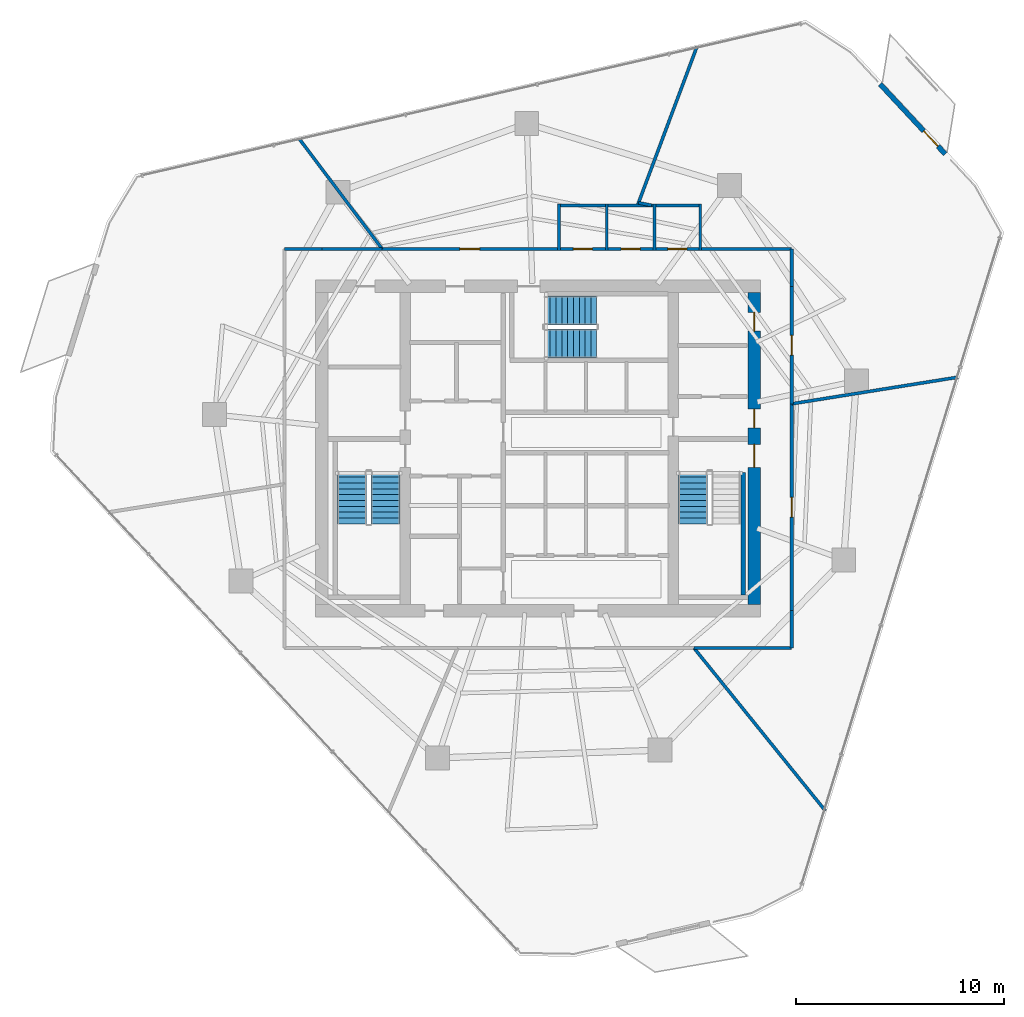
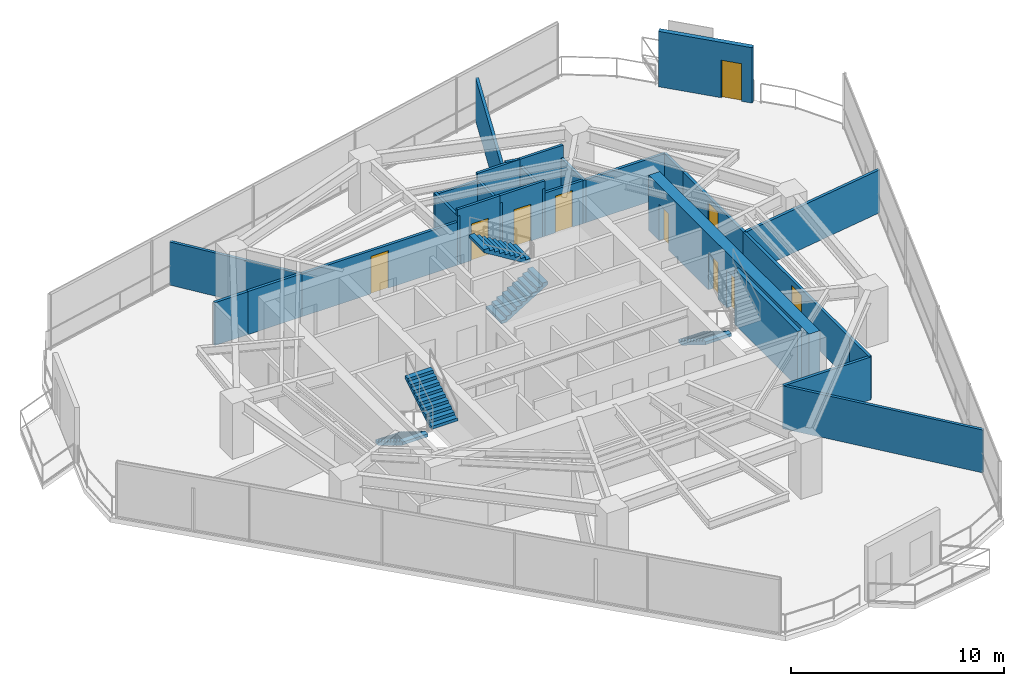
# One storey, part 20 of 23: 27 walls, 10 doors, 5 stair flights, 10 openings, 3 elements without a shape of their own.
"""IFC4 building model written with IfcOpenShell, lengths in metres."""

import ifcopenshell
import ifcopenshell.guid

model = None  # the IFC model being written
_history = None  # IfcOwnerHistory: only IFC2X3 demands one
_inside = {}  # id of a spatial element -> (the spatial element, [elements in it])
_under = {}  # id of a project, library or spatial element -> (it, [spatial elements below it])
_declared = {}  # id of a project -> (the project, [libraries it declares])
_typed = {}  # id of a type object -> (the type object, [elements of that type])
_made_of = {}  # id of a material, layer set ... -> (it, [elements and type objects made of it])


def new_model(schema):
    """Start an empty IFC model of exactly this schema.

    Asked for "IFC4X3", IfcOpenShell would pick the latest addendum, in which some entities
    have other attributes; the version numbers below select the first issue.
    IFC2X3 requires an IfcOwnerHistory on every rooted entity: one is made here for all.
    """
    global model, _history
    if schema == "IFC4X3":
        model = ifcopenshell.file(schema_version=(4, 3, 0, 0))
    else:
        model = ifcopenshell.file(schema=schema)
    _inside.clear()
    _under.clear()
    _declared.clear()
    _typed.clear()
    _made_of.clear()
    _history = None
    if model.schema == "IFC2X3":
        org = make("IfcOrganization", Name="unknown")
        user = make(
            "IfcPersonAndOrganization",
            ThePerson=make("IfcPerson", FamilyName="unknown"),
            TheOrganization=org,
        )
        app = make(
            "IfcApplication",
            ApplicationDeveloper=org,
            Version="unknown",
            ApplicationFullName="unknown",
            ApplicationIdentifier="unknown",
        )
        _history = make(
            "IfcOwnerHistory",
            OwningUser=user,
            OwningApplication=app,
            ChangeAction="ADDED",
            CreationDate=0,
        )
    return model


def make(cls, **values):
    """One entity of the class cls with the attributes given. An attribute that is None is left unset."""
    return model.create_entity(
        cls, **{name: value for name, value in values.items() if value is not None}
    )


def rooted(cls, **values):
    """An entity with a GlobalId (a new one), such as an element, a storey or a relation."""
    return make(cls, GlobalId=ifcopenshell.guid.new(), OwnerHistory=_history, **values)


def si_unit(unit_type, name, prefix=None):
    """IfcSIUnit, for example si_unit("LENGTHUNIT", "METRE", prefix="MILLI")."""
    return make("IfcSIUnit", UnitType=unit_type, Prefix=prefix, Name=name)


def assignment(units):
    """IfcUnitAssignment: the units of a project."""
    return None if units is None else make("IfcUnitAssignment", Units=units)


def point(xyz):
    """IfcCartesianPoint."""
    return None if xyz is None else make("IfcCartesianPoint", Coordinates=xyz)


def direction(xyz):
    """IfcDirection."""
    return None if xyz is None else make("IfcDirection", DirectionRatios=xyz)


def frame(location, z_axis=None, x_axis=None):
    """IfcAxis2Placement3D, a coordinate frame: its origin and axes. An axis left out is left unset."""
    return make(
        "IfcAxis2Placement3D",
        Location=point(location),
        Axis=direction(z_axis),
        RefDirection=direction(x_axis),
    )


def frame_2d(location, x_axis=None):
    """IfcAxis2Placement2D, a coordinate frame in the plane: its origin and x axis."""
    return make(
        "IfcAxis2Placement2D", Location=point(location), RefDirection=direction(x_axis)
    )


def origin():
    """The frame at (0, 0, 0) with its axes left unset."""
    return frame((0.0, 0.0, 0.0))


def place(relative_to, where):
    """IfcLocalPlacement: puts the frame where relative to a parent placement (None: the world)."""
    return make(
        "IfcLocalPlacement", PlacementRelTo=relative_to, RelativePlacement=where
    )


def context(
    kind, dimensions, precision=None, world=None, true_north=None, identifier=None
):
    """IfcGeometricRepresentationContext, for example the 3D "Model" context."""
    return make(
        "IfcGeometricRepresentationContext",
        ContextIdentifier=identifier,
        ContextType=kind,
        CoordinateSpaceDimension=dimensions,
        Precision=precision,
        WorldCoordinateSystem=world,
        TrueNorth=true_north,
    )


def subcontext(parent, identifier, kind, view, scale=None):
    """IfcGeometricRepresentationSubContext, for example "Body" below "Model"."""
    return make(
        "IfcGeometricRepresentationSubContext",
        ContextIdentifier=identifier,
        ContextType=kind,
        ParentContext=parent,
        TargetScale=scale,
        TargetView=view,
    )


def project(units=None, contexts=None):
    """IfcProject with its units and contexts."""
    return rooted(
        "IfcProject",
        Name="project",
        RepresentationContexts=contexts,
        UnitsInContext=assignment(units),
    )


def spatial(cls, under=None, at=None, **own):
    """A site, building, storey or space (cls), placed at a placement, below another one or the project."""
    s = rooted(cls, ObjectPlacement=at, **own)
    if under is not None:
        _under.setdefault(under.id(), (under, []))[1].append(s)
    return s


def polyline(points):
    """IfcPolyline through the points."""
    return make("IfcPolyline", Points=[point(p) for p in points])


def profile(cls, at=None, kind="AREA", **sizes):
    """A parametric profile (cls). Its sizes go by their IFC names, for example OverallWidth=200.0."""
    return make(cls, ProfileType=kind, Position=at, **sizes)


def rectangle(**sizes):
    """IfcRectangleProfileDef."""
    return profile("IfcRectangleProfileDef", **sizes)


def outline(outer, holes=None, kind="AREA"):
    """IfcArbitraryClosedProfileDef: a profile drawn as a closed curve; with holes, ...WithVoids."""
    if holes is None:
        return make("IfcArbitraryClosedProfileDef", ProfileType=kind, OuterCurve=outer)
    return make(
        "IfcArbitraryProfileDefWithVoids",
        ProfileType=kind,
        OuterCurve=outer,
        InnerCurves=holes,
    )


def extrude(swept, where, along, depth):
    """IfcExtrudedAreaSolid: the profile swept, set in the frame where, extruded along a direction by depth."""
    return make(
        "IfcExtrudedAreaSolid",
        SweptArea=swept,
        Position=where,
        ExtrudedDirection=direction(along),
        Depth=depth,
    )


def shape(context_of_items, identifier, shape_type, items):
    """IfcShapeRepresentation: the items that make up one representation, for example the "Body"."""
    return make(
        "IfcShapeRepresentation",
        ContextOfItems=context_of_items,
        RepresentationIdentifier=identifier,
        RepresentationType=shape_type,
        Items=items,
    )


def material(Name=None, Category=None):
    """IfcMaterial."""
    return make("IfcMaterial", Name=Name, Category=Category)


def layer(
    of_material, thickness, ventilated=None, Name=None, Category=None, Priority=None
):
    """IfcMaterialLayer: one layer of a wall or slab, of a material (None: an air gap)."""
    return make(
        "IfcMaterialLayer",
        Material=of_material,
        LayerThickness=thickness,
        IsVentilated=ventilated,
        Name=Name,
        Category=Category,
        Priority=Priority,
    )


def layer_set(layers, Name=None):
    """IfcMaterialLayerSet."""
    return make("IfcMaterialLayerSet", MaterialLayers=layers, LayerSetName=Name)


def made_of(thing, what):
    """Note that an element or type object is made of a material, layer set ...; save() writes the relation."""
    if what is not None:
        _made_of.setdefault(what.id(), (what, []))[1].append(thing)
    return thing


def type_object(cls, material=None, **own):
    """A type object (cls), such as IfcWallType, which elements share."""
    return made_of(rooted(cls, **own), material)


def element(
    cls,
    number,
    at=None,
    inside=None,
    cuts=None,
    type_object=None,
    material=None,
    context=None,
    identifier="Body",
    shape_type=None,
    held_by="IfcProductDefinitionShape",
    body=None,
    shapes=None,
    **own,
):
    """One element of the class cls, such as IfcWall. Its Tag is "e" and its number.

    at: its placement. inside: the storey or other place that contains it. cuts: it is an
    opening in that element (IfcRelVoidsElement). A single representation is given by context,
    identifier, shape_type and body (its items); several are given by shapes. held_by: the class
    of the entity that holds the representations. save() writes the other relations.
    """
    e = rooted(cls, Tag="e%d" % number, ObjectPlacement=at, **own)
    if body is not None:
        shapes = [shape(context, identifier, shape_type, body)]
    if shapes is not None:
        e.Representation = make(held_by, Representations=shapes)
    if inside is not None:
        _inside.setdefault(inside.id(), (inside, []))[1].append(e)
    if cuts is not None:
        rooted(
            "IfcRelVoidsElement", RelatingBuildingElement=cuts, RelatedOpeningElement=e
        )
    if type_object is not None:
        _typed.setdefault(type_object.id(), (type_object, []))[1].append(e)
    return made_of(e, material)


def fill(opening, filler):
    """IfcRelFillsElement: the door or window that sits in an opening."""
    return rooted(
        "IfcRelFillsElement",
        RelatingOpeningElement=opening,
        RelatedBuildingElement=filler,
    )


def aggregate(whole, parts):
    """IfcRelAggregates: a whole, such as a stair, and the parts it consists of."""
    return rooted("IfcRelAggregates", RelatingObject=whole, RelatedObjects=parts)


def save(model, path):
    """Write the relations noted so far, then the file.

    IfcRelAggregates (storeys below a building ...), IfcRelContainedInSpatialStructure (elements
    in a storey), IfcRelDefinesByType, IfcRelAssociatesMaterial and IfcRelDeclares: one each for
    every whole, place, type object, material and project.
    """
    for whole, parts in _under.values():
        aggregate(whole, parts)
    for where, things in _inside.values():
        rooted(
            "IfcRelContainedInSpatialStructure",
            RelatedElements=things,
            RelatingStructure=where,
        )
    for kind, things in _typed.values():
        rooted("IfcRelDefinesByType", RelatedObjects=things, RelatingType=kind)
    for what, things in _made_of.values():
        rooted("IfcRelAssociatesMaterial", RelatedObjects=things, RelatingMaterial=what)
    for by, libraries in _declared.values():
        rooted("IfcRelDeclares", RelatingContext=by, RelatedDefinitions=libraries)
    model.write(path)


model = new_model("IFC4")

# Units and contexts
model_context = context("Model", 3, precision=1e-05, world=origin(), true_north=direction((0.0, 1.0)))
body_context = subcontext(model_context, "Body", "Model", "MODEL_VIEW")
ifc_project = project(units=[si_unit("LENGTHUNIT", "METRE"), si_unit("AREAUNIT", "SQUARE_METRE"), si_unit("VOLUMEUNIT", "CUBIC_METRE"), si_unit("PLANEANGLEUNIT", "RADIAN"), si_unit("MASSUNIT", "GRAM", prefix="KILO")], contexts=[model_context])

# Site, building, storey
site_placement = place(None, origin())
site = spatial("IfcSite", under=ifc_project, at=site_placement, CompositionType="ELEMENT")
building_placement = place(site_placement, origin())
building = spatial("IfcBuilding", under=site, at=building_placement, Name="Qarnah Convention Tower", CompositionType="ELEMENT")
storey_placement = place(building_placement, frame((0.0, 0.0, 114.300048828125)))
storey = spatial("IfcBuildingStorey", under=building, at=storey_placement, Name="L30", CompositionType="ELEMENT", Elevation=114.300048828125)

# Wall, openings, doors
ifc_material_1 = material(Name="Concrete C60/75", Category="concrete")
ifc_layer_1 = layer(ifc_material_1, 0.60009765625)
ifc_layer_set_1 = layer_set([ifc_layer_1], Name="Concrete C60/75")
wall_type_1 = type_object("IfcWallType", Name="WL-CORE-600", PredefinedType="SHEAR", material=ifc_layer_set_1)
wall_1_placement = place(storey_placement, frame((47.60009765625, 18.89990234375, 0.0), z_axis=(0.0, 0.0, 1.0), x_axis=(0.0, 1.0, 0.0)))
wall_1 = element("IfcWall", 1, at=wall_1_placement, inside=storey, type_object=wall_type_1, Name="L30 core east shear wall", PredefinedType="SHEAR", context=body_context, shape_type="SweptSolid", body=[
    extrude(rectangle(XDim=15.0, YDim=0.60009765625, at=frame_2d((7.5, 0.0))), origin(), (0.0, 0.0, 1.0), 3.169921875),
])
opening_1_placement = place(wall_1_placement, frame((6.60009765625, 0.0, 0.0)))
opening_1 = element("IfcOpeningElement", 2, at=opening_1_placement, cuts=wall_1, Name="Opening D-3002", PredefinedType="OPENING", context=body_context, shape_type="SweptSolid", body=[
    extrude(rectangle(XDim=1.10009765625, YDim=2.14990234375, at=frame_2d((0.550048828125, 1.074951171875))), frame((0.0, 0.31005859375, 0.0), z_axis=(0.0, -1.0, 0.0), x_axis=(1.0, 0.0, 0.0)), (0.0, 0.0, 1.0), 0.6201171875),
])
opening_2_placement = place(wall_1_placement, frame((8.5, 0.0, 0.0)))
opening_2 = element("IfcOpeningElement", 3, at=opening_2_placement, cuts=wall_1, Name="Opening D-3006", PredefinedType="OPENING", context=body_context, shape_type="SweptSolid", body=[
    extrude(rectangle(XDim=0.89990234375, YDim=2.10009765625, at=frame_2d((0.449951171875, 1.050048828125))), frame((0.0, 0.31005859375, 0.0), z_axis=(0.0, -1.0, 0.0), x_axis=(1.0, 0.0, 0.0)), (0.0, 0.0, 1.0), 0.6201171875),
])
opening_3_placement = place(wall_1_placement, frame((13.14990234375, 0.0, 0.0)))
opening_3 = element("IfcOpeningElement", 4, at=opening_3_placement, cuts=wall_1, Name="Opening D-3012", PredefinedType="OPENING", context=body_context, shape_type="SweptSolid", body=[
    extrude(rectangle(XDim=0.89990234375, YDim=2.10009765625, at=frame_2d((0.449951171875, 1.050048828125))), frame((0.0, 0.31005859375, 0.0), z_axis=(0.0, -1.0, 0.0), x_axis=(1.0, 0.0, 0.0)), (0.0, 0.0, 1.0), 0.6201171875),
])
ifc_material_2 = material(Name="Structural steel S355JR", Category="steel")
door_type_1 = type_object("IfcDoorType", Name="DT-RISER-900", OperationType="NOTDEFINED", PredefinedType="DOOR", material=ifc_material_2)
door_1_placement = place(opening_2_placement, origin())
door_1 = element("IfcDoor", 5, at=door_1_placement, inside=storey, type_object=door_type_1, Name="Door D-3006", OperationType="SINGLE_SWING_LEFT", OverallHeight=2.10009765625, OverallWidth=0.89990234375, PredefinedType="DOOR", context=body_context, shape_type="SweptSolid", body=[
    extrude(rectangle(XDim=0.89990234375, YDim=2.10009765625, at=frame_2d((0.449951171875, 1.050048828125))), frame((0.0, 0.02490234375, 0.0), z_axis=(0.0, -1.0, 0.0), x_axis=(1.0, 0.0, 0.0)), (0.0, 0.0, 1.0), 0.050048828125),
])
fill(opening_2, door_1)
door_2_placement = place(opening_3_placement, origin())
door_2 = element("IfcDoor", 6, at=door_2_placement, inside=storey, type_object=door_type_1, Name="Door D-3012", OperationType="SINGLE_SWING_LEFT", OverallHeight=2.10009765625, OverallWidth=0.89990234375, PredefinedType="DOOR", context=body_context, shape_type="SweptSolid", body=[
    extrude(rectangle(XDim=0.89990234375, YDim=2.10009765625, at=frame_2d((0.449951171875, 1.050048828125))), frame((0.0, 0.02490234375, 0.0), z_axis=(0.0, -1.0, 0.0), x_axis=(1.0, 0.0, 0.0)), (0.0, 0.0, 1.0), 0.050048828125),
])
fill(opening_3, door_2)
door_type_2 = type_object("IfcDoorType", Name="DT-STAIR-1100", OperationType="NOTDEFINED", PredefinedType="DOOR", material=ifc_material_2)
door_3_placement = place(opening_1_placement, origin())
door_3 = element("IfcDoor", 7, at=door_3_placement, inside=storey, type_object=door_type_2, Name="Door D-3002", OperationType="SINGLE_SWING_LEFT", OverallHeight=2.14990234375, OverallWidth=1.10009765625, PredefinedType="DOOR", context=body_context, shape_type="SweptSolid", body=[
    extrude(rectangle(XDim=1.10009765625, YDim=2.14990234375, at=frame_2d((0.550048828125, 1.074951171875))), frame((0.0, 0.02490234375, 0.0), z_axis=(0.0, -1.0, 0.0), x_axis=(1.0, 0.0, 0.0)), (0.0, 0.0, 1.0), 0.050048828125),
])
fill(opening_1, door_3)

# Wall
ifc_layer_2 = layer(ifc_material_1, 0.219970703125)
ifc_layer_set_2 = layer_set([ifc_layer_2], Name="Concrete C60/75")
wall_type_2 = type_object("IfcWallType", Name="WL-CORE-STAIR-220", PredefinedType="SHEAR", material=ifc_layer_set_2)
wall_2_placement = place(storey_placement, frame((47.06005859375, 19.35009765625, 0.0), z_axis=(0.0, 0.0, 1.0), x_axis=(0.0, 1.0, 0.0)))
element("IfcWall", 8, at=wall_2_placement, inside=storey, type_object=wall_type_2, Name="L30 stair shaft shear wall SW-L30-ST2E", PredefinedType="SHEAR", context=body_context, shape_type="SweptSolid", body=[
    extrude(rectangle(XDim=5.89990234375, YDim=0.219970703125, at=frame_2d((2.949951171875, 0.0))), origin(), (0.0, 0.0, 1.0), 3.169921875),
])

# Wall, opening, door
ifc_material_3 = material(Name="Precast concrete C45/55", Category="concrete")
ifc_layer_3 = layer(ifc_material_3, 0.239990234375)
ifc_layer_set_3 = layer_set([ifc_layer_3], Name="Precast concrete C45/55")
wall_type_3 = type_object("IfcWallType", Name="WL-EXT-BAL-240", PredefinedType="SOLIDWALL", material=ifc_layer_set_3)
wall_3_placement = place(storey_placement, frame((53.654052734375, 43.931884765625, 0.0), z_axis=(0.0, 0.0, 1.0), x_axis=(0.681555771177, -0.7317661722, 0.0)))
wall_3 = element("IfcWall", 9, at=wall_3_placement, inside=storey, type_object=wall_type_3, Name="L30 loggia threshold wall BAL-L30-C1", PredefinedType="SOLIDWALL", context=body_context, shape_type="SweptSolid", body=[
    extrude(rectangle(XDim=4.599853515625, YDim=0.239990234375, at=frame_2d((2.2998046875, 0.0))), origin(), (0.0, 0.0, 1.0), 3.169921875),
])
opening_4_placement = place(wall_3_placement, frame((3.080078125, 0.0, 0.0)))
opening_4 = element("IfcOpeningElement", 10, at=opening_4_placement, cuts=wall_3, Name="Opening BD-3001", PredefinedType="OPENING", context=body_context, shape_type="SweptSolid", body=[
    extrude(rectangle(XDim=1.0, YDim=2.14990234375, at=frame_2d((0.5, 1.074951171875))), frame((0.0, 0.1298828125, 0.0), z_axis=(0.0, -1.0, 0.0), x_axis=(1.0, 0.0, 0.0)), (0.0, 0.0, 1.0), 0.260009765625),
])
ifc_material_4 = material(Name="Black anodised aluminium", Category="aluminium")
door_type_3 = type_object("IfcDoorType", Name="DT-BAL-1000", OperationType="NOTDEFINED", PredefinedType="DOOR", material=ifc_material_4)
door_4_placement = place(opening_4_placement, origin())
door_4 = element("IfcDoor", 11, at=door_4_placement, inside=storey, type_object=door_type_3, Name="L30 balcony terrace door BAL-L30-C1", OperationType="SINGLE_SWING_LEFT", OverallHeight=2.14990234375, OverallWidth=1.0, PredefinedType="DOOR", context=body_context, shape_type="SweptSolid", body=[
    extrude(rectangle(XDim=1.0, YDim=2.14990234375, at=frame_2d((0.5, 1.074951171875))), frame((0.0, 0.02490234375, 0.0), z_axis=(0.0, -1.0, 0.0), x_axis=(1.0, 0.0, 0.0)), (0.0, 0.0, 1.0), 0.050048828125),
])
fill(opening_4, door_4)

# Walls
ifc_material_5 = material(Name="Gypsum partition board")
ifc_layer_4 = layer(ifc_material_5, 0.14990234375)
ifc_layer_set_4 = layer_set([ifc_layer_4], Name="Gypsum partition board")
wall_type_4 = type_object("IfcWallType", Name="WL-SUITE-150", PredefinedType="PARTITIONING", material=ifc_layer_set_4)
wall_4_placement = place(storey_placement, frame((44.843017578125, 45.742919921875, 0.0), z_axis=(0.0, 0.0, 1.0), x_axis=(-0.350379049315, -0.936607987261, 0.0)))
element("IfcWall", 12, at=wall_4_placement, inside=storey, type_object=wall_type_4, Name="L30 interior wall IW-L30-R-11", PredefinedType="PARTITIONING", context=body_context, shape_type="SweptSolid", body=[
    extrude(rectangle(XDim=8.16015625, YDim=0.14990234375, at=frame_2d((4.080078125, 0.0))), origin(), (0.0, 0.0, 1.0), 2.454833984375),
])
wall_5_placement = place(storey_placement, frame((42.030029296875, 38.222900390625, 0.0), z_axis=(0.0, 0.0, 1.0), x_axis=(0.981520230149, -0.191358401459, 0.0)))
element("IfcWall", 13, at=wall_5_placement, inside=storey, type_object=wall_type_4, Name="L30 interior wall IW-L30-R-12", PredefinedType="PARTITIONING", context=body_context, shape_type="SweptSolid", body=[
    extrude(rectangle(XDim=0.641845703125, YDim=0.14990234375, at=frame_2d((0.32080078125, 0.0))), origin(), (0.0, 0.0, 1.0), 3.169921875),
])
wall_6_placement = place(storey_placement, frame((45.070068359375, 36.0, 0.0), z_axis=(0.0, 0.0, 1.0), x_axis=(1.0, 0.0, 0.0)))
element("IfcWall", 14, at=wall_6_placement, inside=storey, type_object=wall_type_4, Name="L30 interior wall IW-L30-R-13", PredefinedType="PARTITIONING", context=body_context, shape_type="SweptSolid", body=[
    extrude(rectangle(XDim=4.329833984375, YDim=0.14990234375, at=frame_2d((2.1650390625, 0.0))), origin(), (0.0, 0.0, 1.0), 2.454833984375),
])
wall_7_placement = place(storey_placement, frame((49.39990234375, 36.0, 0.0), z_axis=(0.0, 0.0, 1.0), x_axis=(0.0, -1.0, 0.0)))
element("IfcWall", 15, at=wall_7_placement, inside=storey, type_object=wall_type_4, Name="L30 interior wall IW-L30-R-14", PredefinedType="PARTITIONING", context=body_context, shape_type="SweptSolid", body=[
    extrude(rectangle(XDim=1.800048828125, YDim=0.14990234375, at=frame_2d((0.89990234375, 0.0))), origin(), (0.0, 0.0, 1.0), 2.454833984375),
])

# Wall, opening, door
wall_8_placement = place(storey_placement, frame((49.39990234375, 34.199951171875, 0.0), z_axis=(0.0, 0.0, 1.0), x_axis=(0.0, -1.0, 0.0)))
wall_8 = element("IfcWall", 16, at=wall_8_placement, inside=storey, type_object=wall_type_4, Name="L30 interior wall IW-L30-R-15", PredefinedType="PARTITIONING", context=body_context, shape_type="SweptSolid", body=[
    extrude(rectangle(XDim=5.64892578125, YDim=0.14990234375, at=frame_2d((2.824462890625, 0.0))), origin(), (0.0, 0.0, 1.0), 2.454833984375),
])
opening_5_placement = place(wall_8_placement, frame((2.35009765625, 0.0, 0.0)))
opening_5 = element("IfcOpeningElement", 17, at=opening_5_placement, cuts=wall_8, Name="Opening D-3019", PredefinedType="OPENING", context=body_context, shape_type="SweptSolid", body=[
    extrude(rectangle(XDim=0.949951171875, YDim=2.14990234375, at=frame_2d((0.47509765625, 1.074951171875))), frame((0.0, 0.0849609375, 0.0), z_axis=(0.0, -1.0, 0.0), x_axis=(1.0, 0.0, 0.0)), (0.0, 0.0, 1.0), 0.169921875),
])
ifc_material_6 = material(Name="Oak timber veneer", Category="wood")
door_type_4 = type_object("IfcDoorType", Name="DT-HOTEL-950", OperationType="NOTDEFINED", PredefinedType="DOOR", material=ifc_material_6)
door_5_placement = place(opening_5_placement, origin())
door_5 = element("IfcDoor", 18, at=door_5_placement, inside=storey, type_object=door_type_4, Name="Door D-3019", OperationType="SINGLE_SWING_RIGHT", OverallHeight=2.14990234375, OverallWidth=0.949951171875, PredefinedType="DOOR", context=body_context, shape_type="SweptSolid", body=[
    extrude(rectangle(XDim=0.949951171875, YDim=2.14990234375, at=frame_2d((0.47509765625, 1.074951171875))), frame((0.0, 0.02490234375, 0.0), z_axis=(0.0, -1.0, 0.0), x_axis=(1.0, 0.0, 0.0)), (0.0, 0.0, 1.0), 0.050048828125),
])
fill(opening_5, door_5)

# Walls
wall_9_placement = place(storey_placement, frame((49.39990234375, 28.551025390625, 0.0), z_axis=(0.0, 0.0, 1.0), x_axis=(0.987405475333, 0.158210073265, 0.0)))
element("IfcWall", 19, at=wall_9_placement, inside=storey, type_object=wall_type_4, Name="L30 interior wall IW-L30-R-16", PredefinedType="PARTITIONING", context=body_context, shape_type="SweptSolid", body=[
    extrude(rectangle(XDim=8.109130859375, YDim=0.14990234375, at=frame_2d((4.0546875, 0.0))), origin(), (0.0, 0.0, 1.0), 2.454833984375),
])
wall_10_placement = place(storey_placement, frame((25.68701171875, 41.326904296875, 0.0), z_axis=(0.0, 0.0, 1.0), x_axis=(0.601703042594, -0.798719881143, 0.0)))
element("IfcWall", 20, at=wall_10_placement, inside=storey, type_object=wall_type_4, Name="L30 interior wall IW-L30-R-17", PredefinedType="PARTITIONING", context=body_context, shape_type="SweptSolid", body=[
    extrude(rectangle(XDim=6.669189453125, YDim=0.14990234375, at=frame_2d((3.33447265625, 0.0))), origin(), (0.0, 0.0, 1.0), 2.467041015625),
])

# Wall, opening, door
wall_11_placement = place(storey_placement, frame((29.699951171875, 36.0, 0.0), z_axis=(0.0, 0.0, 1.0), x_axis=(1.0, 0.0, 0.0)))
wall_11 = element("IfcWall", 21, at=wall_11_placement, inside=storey, type_object=wall_type_4, Name="L30 interior wall IW-L30-R-18", PredefinedType="PARTITIONING", context=body_context, shape_type="SweptSolid", body=[
    extrude(rectangle(XDim=8.429931640625, YDim=0.14990234375, at=frame_2d((4.21484375, 0.0))), origin(), (0.0, 0.0, 1.0), 2.467041015625),
])
opening_6_placement = place(wall_11_placement, frame((3.739990234375, 0.0, 0.0)))
opening_6 = element("IfcOpeningElement", 22, at=opening_6_placement, cuts=wall_11, Name="Opening D-3020", PredefinedType="OPENING", context=body_context, shape_type="SweptSolid", body=[
    extrude(rectangle(XDim=0.949951171875, YDim=2.14990234375, at=frame_2d((0.47509765625, 1.074951171875))), frame((0.0, 0.0849609375, 0.0), z_axis=(0.0, -1.0, 0.0), x_axis=(1.0, 0.0, 0.0)), (0.0, 0.0, 1.0), 0.169921875),
])
door_6_placement = place(opening_6_placement, origin())
door_6 = element("IfcDoor", 23, at=door_6_placement, inside=storey, type_object=door_type_4, Name="Door D-3020", OperationType="SINGLE_SWING_LEFT", OverallHeight=2.14990234375, OverallWidth=0.949951171875, PredefinedType="DOOR", context=body_context, shape_type="SweptSolid", body=[
    extrude(rectangle(XDim=0.949951171875, YDim=2.14990234375, at=frame_2d((0.47509765625, 1.074951171875))), frame((0.0, 0.02490234375, 0.0), z_axis=(0.0, -1.0, 0.0), x_axis=(1.0, 0.0, 0.0)), (0.0, 0.0, 1.0), 0.050048828125),
])
fill(opening_6, door_6)

# Walls
wall_12_placement = place(storey_placement, frame((25.0, 36.0, 0.0), z_axis=(0.0, 0.0, 1.0), x_axis=(1.0, 0.0, 0.0)))
element("IfcWall", 24, at=wall_12_placement, inside=storey, type_object=wall_type_4, Name="L30 interior wall IW-L30-R-21", PredefinedType="PARTITIONING", context=body_context, shape_type="SweptSolid", body=[
    extrude(rectangle(XDim=1.800048828125, YDim=0.14990234375, at=frame_2d((0.89990234375, 0.0))), origin(), (0.0, 0.0, 1.0), 2.454833984375),
])
wall_13_placement = place(storey_placement, frame((26.800048828125, 36.0, 0.0), z_axis=(0.0, 0.0, 1.0), x_axis=(1.0, 0.0, 0.0)))
element("IfcWall", 25, at=wall_13_placement, inside=storey, type_object=wall_type_4, Name="L30 interior wall IW-L30-R-22", PredefinedType="PARTITIONING", context=body_context, shape_type="SweptSolid", body=[
    extrude(rectangle(XDim=2.89990234375, YDim=0.14990234375, at=frame_2d((1.449951171875, 0.0))), origin(), (0.0, 0.0, 1.0), 2.467041015625),
])
wall_14_placement = place(storey_placement, frame((51.01904296875, 8.972900390625, 0.0), z_axis=(0.0, 0.0, 1.0), x_axis=(-0.62816648874, 0.77807895642, 0.0)))
element("IfcWall", 26, at=wall_14_placement, inside=storey, type_object=wall_type_4, Name="L30 interior wall IW-L30-R-27", PredefinedType="PARTITIONING", context=body_context, shape_type="SweptSolid", body=[
    extrude(rectangle(XDim=10.0595703125, YDim=0.14990234375, at=frame_2d((5.02978515625, 0.0))), origin(), (0.0, 0.0, 1.0), 2.454833984375),
])

# Wall, opening, door
wall_15_placement = place(storey_placement, frame((49.39990234375, 28.551025390625, 0.0), z_axis=(0.0, 0.0, 1.0), x_axis=(0.0, -1.0, 0.0)))
wall_15 = element("IfcWall", 27, at=wall_15_placement, inside=storey, type_object=wall_type_4, Name="L30 interior wall IW-L30-R-29", PredefinedType="PARTITIONING", context=body_context, shape_type="SweptSolid", body=[
    extrude(rectangle(XDim=9.950927734375, YDim=0.14990234375, at=frame_2d((4.9755859375, 0.0))), origin(), (0.0, 0.0, 1.0), 2.454833984375),
])
opening_7_placement = place(wall_15_placement, frame((4.5, 0.0, 0.0)))
opening_7 = element("IfcOpeningElement", 28, at=opening_7_placement, cuts=wall_15, Name="Opening D-3024", PredefinedType="OPENING", context=body_context, shape_type="SweptSolid", body=[
    extrude(rectangle(XDim=0.949951171875, YDim=2.14990234375, at=frame_2d((0.47509765625, 1.074951171875))), frame((0.0, 0.0849609375, 0.0), z_axis=(0.0, -1.0, 0.0), x_axis=(1.0, 0.0, 0.0)), (0.0, 0.0, 1.0), 0.169921875),
])
door_7_placement = place(opening_7_placement, origin())
door_7 = element("IfcDoor", 29, at=door_7_placement, inside=storey, type_object=door_type_4, Name="Door D-3024", OperationType="SINGLE_SWING_RIGHT", OverallHeight=2.14990234375, OverallWidth=0.949951171875, PredefinedType="DOOR", context=body_context, shape_type="SweptSolid", body=[
    extrude(rectangle(XDim=0.949951171875, YDim=2.14990234375, at=frame_2d((0.47509765625, 1.074951171875))), frame((0.0, 0.02490234375, 0.0), z_axis=(0.0, -1.0, 0.0), x_axis=(1.0, 0.0, 0.0)), (0.0, 0.0, 1.0), 0.050048828125),
])
fill(opening_7, door_7)

# Walls
wall_16_placement = place(storey_placement, frame((49.39990234375, 18.60009765625, 0.0), z_axis=(0.0, 0.0, 1.0), x_axis=(0.0, -1.0, 0.0)))
element("IfcWall", 30, at=wall_16_placement, inside=storey, type_object=wall_type_4, Name="L30 interior wall IW-L30-R-30", PredefinedType="PARTITIONING", context=body_context, shape_type="SweptSolid", body=[
    extrude(rectangle(XDim=1.800048828125, YDim=0.14990234375, at=frame_2d((0.89990234375, 0.0))), origin(), (0.0, 0.0, 1.0), 2.454833984375),
])
wall_17_placement = place(storey_placement, frame((49.39990234375, 16.800048828125, 0.0), z_axis=(0.0, 0.0, 1.0), x_axis=(-1.0, 0.0, 0.0)))
element("IfcWall", 31, at=wall_17_placement, inside=storey, type_object=wall_type_4, Name="L30 interior wall IW-L30-R-31", PredefinedType="PARTITIONING", context=body_context, shape_type="SweptSolid", body=[
    extrude(rectangle(XDim=4.699951171875, YDim=0.14990234375, at=frame_2d((2.35009765625, 0.0))), origin(), (0.0, 0.0, 1.0), 2.454833984375),
])

# Wall, opening, door
ifc_layer_5 = layer(ifc_material_5, 0.139892578125)
ifc_layer_set_5 = layer_set([ifc_layer_5], Name="Gypsum partition board")
wall_type_5 = type_object("IfcWallType", Name="WL-WET-140", PredefinedType="PARTITIONING", material=ifc_layer_set_5)
wall_18_placement = place(storey_placement, frame((38.1298828125, 36.0, 0.0), z_axis=(0.0, 0.0, 1.0), x_axis=(1.0, 0.0, 0.0)))
wall_18 = element("IfcWall", 32, at=wall_18_placement, inside=storey, type_object=wall_type_5, Name="L30 interior wall IW-L30-WCM-1", PredefinedType="PARTITIONING", context=body_context, shape_type="SweptSolid", body=[
    extrude(rectangle(XDim=2.440185546875, YDim=0.139892578125, at=frame_2d((1.22021484375, 0.0))), origin(), (0.0, 0.0, 1.0), 3.169921875),
])
opening_8_placement = place(wall_18_placement, frame((0.760009765625, 0.0, 0.0)))
opening_8 = element("IfcOpeningElement", 33, at=opening_8_placement, cuts=wall_18, Name="Opening D-3016", PredefinedType="OPENING", context=body_context, shape_type="SweptSolid", body=[
    extrude(rectangle(XDim=0.919921875, YDim=2.10009765625, at=frame_2d((0.4599609375, 1.050048828125))), frame((0.0, 0.079833984375, 0.0), z_axis=(0.0, -1.0, 0.0), x_axis=(1.0, 0.0, 0.0)), (0.0, 0.0, 1.0), 0.159912109375),
])
door_type_5 = type_object("IfcDoorType", Name="DT-WC-920", OperationType="NOTDEFINED", PredefinedType="DOOR", material=ifc_material_6)
door_8_placement = place(opening_8_placement, origin())
door_8 = element("IfcDoor", 34, at=door_8_placement, inside=storey, type_object=door_type_5, Name="Door D-3016", OperationType="SINGLE_SWING_LEFT", OverallHeight=2.10009765625, OverallWidth=0.919921875, PredefinedType="DOOR", context=body_context, shape_type="SweptSolid", body=[
    extrude(rectangle(XDim=0.919921875, YDim=2.10009765625, at=frame_2d((0.4599609375, 1.050048828125))), frame((0.0, 0.02490234375, 0.0), z_axis=(0.0, -1.0, 0.0), x_axis=(1.0, 0.0, 0.0)), (0.0, 0.0, 1.0), 0.050048828125),
])
fill(opening_8, door_8)

# Walls
wall_19_placement = place(storey_placement, frame((40.5, 35.929931640625, 0.0), z_axis=(0.0, 0.0, 1.0), x_axis=(0.0, 1.0, 0.0)))
element("IfcWall", 35, at=wall_19_placement, inside=storey, type_object=wall_type_5, Name="L30 interior wall IW-L30-WCM-2", PredefinedType="PARTITIONING", context=body_context, shape_type="SweptSolid", body=[
    extrude(rectangle(XDim=2.239990234375, YDim=0.139892578125, at=frame_2d((1.1201171875, 0.0))), origin(), (0.0, 0.0, 1.0), 2.7470703125),
])
wall_20_placement = place(storey_placement, frame((40.570068359375, 38.10009765625, 0.0), z_axis=(0.0, 0.0, 1.0), x_axis=(-1.0, 0.0, 0.0)))
element("IfcWall", 36, at=wall_20_placement, inside=storey, type_object=wall_type_5, Name="L30 interior wall IW-L30-WCM-3", PredefinedType="PARTITIONING", context=body_context, shape_type="SweptSolid", body=[
    extrude(rectangle(XDim=2.440185546875, YDim=0.139892578125, at=frame_2d((1.22021484375, 0.0))), origin(), (0.0, 0.0, 1.0), 2.7470703125),
])
wall_21_placement = place(storey_placement, frame((38.199951171875, 38.169921875, 0.0), z_axis=(0.0, 0.0, 1.0), x_axis=(0.0, -1.0, 0.0)))
element("IfcWall", 37, at=wall_21_placement, inside=storey, type_object=wall_type_5, Name="L30 interior wall IW-L30-WCM-4", PredefinedType="PARTITIONING", context=body_context, shape_type="SweptSolid", body=[
    extrude(rectangle(XDim=2.239990234375, YDim=0.139892578125, at=frame_2d((1.1201171875, 0.0))), origin(), (0.0, 0.0, 1.0), 2.799072265625),
])

# Wall, opening, door
wall_22_placement = place(storey_placement, frame((40.429931640625, 36.0, 0.0), z_axis=(0.0, 0.0, 1.0), x_axis=(1.0, 0.0, 0.0)))
wall_22 = element("IfcWall", 38, at=wall_22_placement, inside=storey, type_object=wall_type_5, Name="L30 interior wall IW-L30-WCF-1", PredefinedType="PARTITIONING", context=body_context, shape_type="SweptSolid", body=[
    extrude(rectangle(XDim=2.440185546875, YDim=0.139892578125, at=frame_2d((1.22021484375, 0.0))), origin(), (0.0, 0.0, 1.0), 3.169921875),
])
opening_9_placement = place(wall_22_placement, frame((0.760009765625, 0.0, 0.0)))
opening_9 = element("IfcOpeningElement", 39, at=opening_9_placement, cuts=wall_22, Name="Opening D-3017", PredefinedType="OPENING", context=body_context, shape_type="SweptSolid", body=[
    extrude(rectangle(XDim=0.919921875, YDim=2.10009765625, at=frame_2d((0.4599609375, 1.050048828125))), frame((0.0, 0.079833984375, 0.0), z_axis=(0.0, -1.0, 0.0), x_axis=(1.0, 0.0, 0.0)), (0.0, 0.0, 1.0), 0.159912109375),
])
door_9_placement = place(opening_9_placement, origin())
door_9 = element("IfcDoor", 40, at=door_9_placement, inside=storey, type_object=door_type_5, Name="Door D-3017", OperationType="SINGLE_SWING_RIGHT", OverallHeight=2.10009765625, OverallWidth=0.919921875, PredefinedType="DOOR", context=body_context, shape_type="SweptSolid", body=[
    extrude(rectangle(XDim=0.919921875, YDim=2.10009765625, at=frame_2d((0.4599609375, 1.050048828125))), frame((0.0, 0.02490234375, 0.0), z_axis=(0.0, -1.0, 0.0), x_axis=(1.0, 0.0, 0.0)), (0.0, 0.0, 1.0), 0.050048828125),
])
fill(opening_9, door_9)

# Walls
wall_23_placement = place(storey_placement, frame((42.800048828125, 35.929931640625, 0.0), z_axis=(0.0, 0.0, 1.0), x_axis=(0.0, 1.0, 0.0)))
element("IfcWall", 41, at=wall_23_placement, inside=storey, type_object=wall_type_5, Name="L30 interior wall IW-L30-WCF-2", PredefinedType="PARTITIONING", context=body_context, shape_type="SweptSolid", body=[
    extrude(rectangle(XDim=2.239990234375, YDim=0.139892578125, at=frame_2d((1.1201171875, 0.0))), origin(), (0.0, 0.0, 1.0), 2.7470703125),
])
wall_24_placement = place(storey_placement, frame((42.8701171875, 38.10009765625, 0.0), z_axis=(0.0, 0.0, 1.0), x_axis=(-1.0, 0.0, 0.0)))
element("IfcWall", 42, at=wall_24_placement, inside=storey, type_object=wall_type_5, Name="L30 interior wall IW-L30-WCF-3", PredefinedType="PARTITIONING", context=body_context, shape_type="SweptSolid", body=[
    extrude(rectangle(XDim=2.440185546875, YDim=0.139892578125, at=frame_2d((1.22021484375, 0.0))), origin(), (0.0, 0.0, 1.0), 3.169921875),
])

# Wall, opening, door
wall_25_placement = place(storey_placement, frame((42.72998046875, 36.0, 0.0), z_axis=(0.0, 0.0, 1.0), x_axis=(1.0, 0.0, 0.0)))
wall_25 = element("IfcWall", 43, at=wall_25_placement, inside=storey, type_object=wall_type_5, Name="L30 interior wall IW-L30-WCA-1", PredefinedType="PARTITIONING", context=body_context, shape_type="SweptSolid", body=[
    extrude(rectangle(XDim=2.340087890625, YDim=0.139892578125, at=frame_2d((1.169921875, 0.0))), origin(), (0.0, 0.0, 1.0), 2.467041015625),
])
opening_10_placement = place(wall_25_placement, frame((0.7099609375, 0.0, 0.0)))
opening_10 = element("IfcOpeningElement", 44, at=opening_10_placement, cuts=wall_25, Name="Opening D-3018", PredefinedType="OPENING", context=body_context, shape_type="SweptSolid", body=[
    extrude(rectangle(XDim=0.919921875, YDim=2.10009765625, at=frame_2d((0.4599609375, 1.050048828125))), frame((0.0, 0.079833984375, 0.0), z_axis=(0.0, -1.0, 0.0), x_axis=(1.0, 0.0, 0.0)), (0.0, 0.0, 1.0), 0.159912109375),
])
door_10_placement = place(opening_10_placement, origin())
door_10 = element("IfcDoor", 45, at=door_10_placement, inside=storey, type_object=door_type_5, Name="Door D-3018", OperationType="SINGLE_SWING_LEFT", OverallHeight=2.10009765625, OverallWidth=0.919921875, PredefinedType="DOOR", context=body_context, shape_type="SweptSolid", body=[
    extrude(rectangle(XDim=0.919921875, YDim=2.10009765625, at=frame_2d((0.4599609375, 1.050048828125))), frame((0.0, 0.02490234375, 0.0), z_axis=(0.0, -1.0, 0.0), x_axis=(1.0, 0.0, 0.0)), (0.0, 0.0, 1.0), 0.050048828125),
])
fill(opening_10, door_10)

# Walls
wall_26_placement = place(storey_placement, frame((45.0, 35.929931640625, 0.0), z_axis=(0.0, 0.0, 1.0), x_axis=(0.0, 1.0, 0.0)))
element("IfcWall", 46, at=wall_26_placement, inside=storey, type_object=wall_type_5, Name="L30 interior wall IW-L30-WCA-2", PredefinedType="PARTITIONING", context=body_context, shape_type="SweptSolid", body=[
    extrude(rectangle(XDim=2.239990234375, YDim=0.139892578125, at=frame_2d((1.1201171875, 0.0))), origin(), (0.0, 0.0, 1.0), 2.467041015625),
])
wall_27_placement = place(storey_placement, frame((45.070068359375, 38.10009765625, 0.0), z_axis=(0.0, 0.0, 1.0), x_axis=(-1.0, 0.0, 0.0)))
element("IfcWall", 47, at=wall_27_placement, inside=storey, type_object=wall_type_5, Name="L30 interior wall IW-L30-WCA-3", PredefinedType="PARTITIONING", context=body_context, shape_type="SweptSolid", body=[
    extrude(rectangle(XDim=2.340087890625, YDim=0.139892578125, at=frame_2d((1.169921875, 0.0))), origin(), (0.0, 0.0, 1.0), 3.169921875),
])

# Stair, stair flights
ifc_material_7 = material(Name="Concrete C50/60", Category="concrete")
stair_type = type_object("IfcStairType", Name="STR-HTL", PredefinedType="HALF_TURN_STAIR", material=ifc_material_7)
stair_1_placement = place(storey_placement, origin())
stair_1 = element("IfcStair", 48, at=stair_1_placement, inside=storey, type_object=stair_type, Name="L30 Core exit stair ST-1", PredefinedType="HALF_TURN_STAIR")
stair_flight_type = type_object("IfcStairFlightType", Name="FLT-HTL", PredefinedType="STRAIGHT", material=ifc_material_7)
stair_flight_1_placement = place(storey_placement, frame((28.25, 25.300048828125, 0.0), z_axis=(0.0, 0.0, 1.0), x_axis=(0.0, -1.0, 0.0)))
stair_flight_1 = element("IfcStairFlight", 49, at=stair_flight_1_placement, type_object=stair_flight_type, Name="ST-1 flight 1", NumberOfRisers=10, NumberOfTreads=9, PredefinedType="STRAIGHT", RiserHeight=0.1725, TreadLength=0.28, context=body_context, shape_type="SweptSolid", body=[
    extrude(outline(polyline([(0.0, 0.0), (0.0, 0.172607421875), (0.280029296875, 0.172607421875), (0.280029296875, 0.344970703125), (0.56005859375, 0.344970703125), (0.56005859375, 0.517578125), (0.840087890625, 0.517578125), (0.840087890625, 0.68994140625), (1.1201171875, 0.68994140625), (1.1201171875, 0.862548828125), (1.39990234375, 0.862548828125), (1.39990234375, 1.034912109375), (1.679931640625, 1.034912109375), (1.679931640625, 1.20751953125), (1.9599609375, 1.20751953125), (1.9599609375, 1.3798828125), (2.239990234375, 1.3798828125), (2.239990234375, 1.552490234375), (2.52001953125, 1.552490234375), (2.52001953125, 1.72509765625), (2.52001953125, 1.37646484375), (0.285888671875, 0.0), (0.0, 0.0)])), frame((0.0, 0.699951171875, 0.0), z_axis=(0.0, -1.0, 0.0), x_axis=(1.0, 0.0, 0.0)), (0.0, 0.0, 1.0), 1.39990234375),
])
stair_flight_2_placement = place(storey_placement, frame((29.85009765625, 22.780029296875, 1.724853515625), z_axis=(0.0, 0.0, 1.0), x_axis=(0.0, 1.0, 0.0)))
stair_flight_2 = element("IfcStairFlight", 50, at=stair_flight_2_placement, type_object=stair_flight_type, Name="ST-1 flight 2", NumberOfRisers=10, NumberOfTreads=9, PredefinedType="STRAIGHT", RiserHeight=0.1725, TreadLength=0.28, context=body_context, shape_type="SweptSolid", body=[
    extrude(outline(polyline([(0.0, 0.0), (0.0, 0.172607421875), (0.280029296875, 0.172607421875), (0.280029296875, 0.344970703125), (0.56005859375, 0.344970703125), (0.56005859375, 0.517578125), (0.840087890625, 0.517578125), (0.840087890625, 0.68994140625), (1.1201171875, 0.68994140625), (1.1201171875, 0.862548828125), (1.39990234375, 0.862548828125), (1.39990234375, 1.034912109375), (1.679931640625, 1.034912109375), (1.679931640625, 1.20751953125), (1.9599609375, 1.20751953125), (1.9599609375, 1.3798828125), (2.239990234375, 1.3798828125), (2.239990234375, 1.552490234375), (2.52001953125, 1.552490234375), (2.52001953125, 1.72509765625), (2.52001953125, 1.37646484375), (0.285888671875, 0.0), (0.0, 0.0)])), frame((0.0, 0.699951171875, 0.0), z_axis=(0.0, -1.0, 0.0), x_axis=(1.0, 0.0, 0.0)), (0.0, 0.0, 1.0), 1.39990234375),
])
aggregate(stair_1, [stair_flight_1, stair_flight_2])

# Stair, stair flight
stair_2_placement = place(storey_placement, origin())
stair_2 = element("IfcStair", 51, at=stair_2_placement, inside=storey, type_object=stair_type, Name="L30 Core exit stair ST-2", PredefinedType="HALF_TURN_STAIR")
stair_flight_3_placement = place(storey_placement, frame((44.64990234375, 25.300048828125, 0.0), z_axis=(0.0, 0.0, 1.0), x_axis=(0.0, -1.0, 0.0)))
stair_flight_3 = element("IfcStairFlight", 52, at=stair_flight_3_placement, type_object=stair_flight_type, Name="ST-2 flight 1", NumberOfRisers=10, NumberOfTreads=9, PredefinedType="STRAIGHT", RiserHeight=0.1725, TreadLength=0.28, context=body_context, shape_type="SweptSolid", body=[
    extrude(outline(polyline([(0.0, 0.0), (0.0, 0.172607421875), (0.280029296875, 0.172607421875), (0.280029296875, 0.344970703125), (0.56005859375, 0.344970703125), (0.56005859375, 0.517578125), (0.840087890625, 0.517578125), (0.840087890625, 0.68994140625), (1.1201171875, 0.68994140625), (1.1201171875, 0.862548828125), (1.39990234375, 0.862548828125), (1.39990234375, 1.034912109375), (1.679931640625, 1.034912109375), (1.679931640625, 1.20751953125), (1.9599609375, 1.20751953125), (1.9599609375, 1.3798828125), (2.239990234375, 1.3798828125), (2.239990234375, 1.552490234375), (2.52001953125, 1.552490234375), (2.52001953125, 1.72509765625), (2.52001953125, 1.37646484375), (0.285888671875, 0.0), (0.0, 0.0)])), frame((0.0, 0.699951171875, 0.0), z_axis=(0.0, -1.0, 0.0), x_axis=(1.0, 0.0, 0.0)), (0.0, 0.0, 1.0), 1.39990234375),
])
aggregate(stair_2, [stair_flight_3])

# Stair, stair flights
stair_3_placement = place(storey_placement, origin())
stair_3 = element("IfcStair", 53, at=stair_3_placement, inside=storey, type_object=stair_type, Name="L30 Core exit stair ST-3", PredefinedType="HALF_TURN_STAIR")
stair_flight_4_placement = place(storey_placement, frame((37.5, 31.449951171875, 0.0), z_axis=(0.0, 0.0, 1.0), x_axis=(1.0, 0.0, 0.0)))
stair_flight_4 = element("IfcStairFlight", 54, at=stair_flight_4_placement, type_object=stair_flight_type, Name="ST-3 flight 1", NumberOfRisers=10, NumberOfTreads=9, PredefinedType="STRAIGHT", RiserHeight=0.1725, TreadLength=0.28, context=body_context, shape_type="SweptSolid", body=[
    extrude(outline(polyline([(0.0, 0.0), (0.0, 0.172607421875), (0.280029296875, 0.172607421875), (0.280029296875, 0.344970703125), (0.56005859375, 0.344970703125), (0.56005859375, 0.517578125), (0.840087890625, 0.517578125), (0.840087890625, 0.68994140625), (1.1201171875, 0.68994140625), (1.1201171875, 0.862548828125), (1.39990234375, 0.862548828125), (1.39990234375, 1.034912109375), (1.679931640625, 1.034912109375), (1.679931640625, 1.20751953125), (1.9599609375, 1.20751953125), (1.9599609375, 1.3798828125), (2.239990234375, 1.3798828125), (2.239990234375, 1.552490234375), (2.52001953125, 1.552490234375), (2.52001953125, 1.72509765625), (2.52001953125, 1.37646484375), (0.285888671875, 0.0), (0.0, 0.0)])), frame((0.0, 0.699951171875, 0.0), z_axis=(0.0, -1.0, 0.0), x_axis=(1.0, 0.0, 0.0)), (0.0, 0.0, 1.0), 1.39990234375),
])
stair_flight_5_placement = place(storey_placement, frame((40.02001953125, 33.050048828125, 1.724853515625), z_axis=(0.0, 0.0, 1.0), x_axis=(-1.0, 0.0, 0.0)))
stair_flight_5 = element("IfcStairFlight", 55, at=stair_flight_5_placement, type_object=stair_flight_type, Name="ST-3 flight 2", NumberOfRisers=10, NumberOfTreads=9, PredefinedType="STRAIGHT", RiserHeight=0.1725, TreadLength=0.28, context=body_context, shape_type="SweptSolid", body=[
    extrude(outline(polyline([(0.0, 0.0), (0.0, 0.172607421875), (0.280029296875, 0.172607421875), (0.280029296875, 0.344970703125), (0.56005859375, 0.344970703125), (0.56005859375, 0.517578125), (0.840087890625, 0.517578125), (0.840087890625, 0.68994140625), (1.1201171875, 0.68994140625), (1.1201171875, 0.862548828125), (1.39990234375, 0.862548828125), (1.39990234375, 1.034912109375), (1.679931640625, 1.034912109375), (1.679931640625, 1.20751953125), (1.9599609375, 1.20751953125), (1.9599609375, 1.3798828125), (2.239990234375, 1.3798828125), (2.239990234375, 1.552490234375), (2.52001953125, 1.552490234375), (2.52001953125, 1.72509765625), (2.52001953125, 1.37646484375), (0.285888671875, 0.0), (0.0, 0.0)])), frame((0.0, 0.699951171875, 0.0), z_axis=(0.0, -1.0, 0.0), x_axis=(1.0, 0.0, 0.0)), (0.0, 0.0, 1.0), 1.39990234375),
])
aggregate(stair_3, [stair_flight_4, stair_flight_5])

save(model, "model.ifc")
